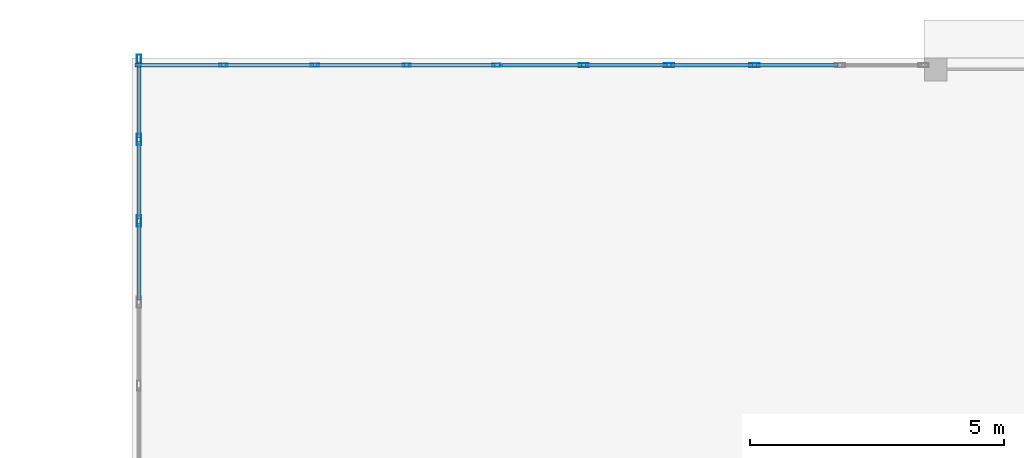
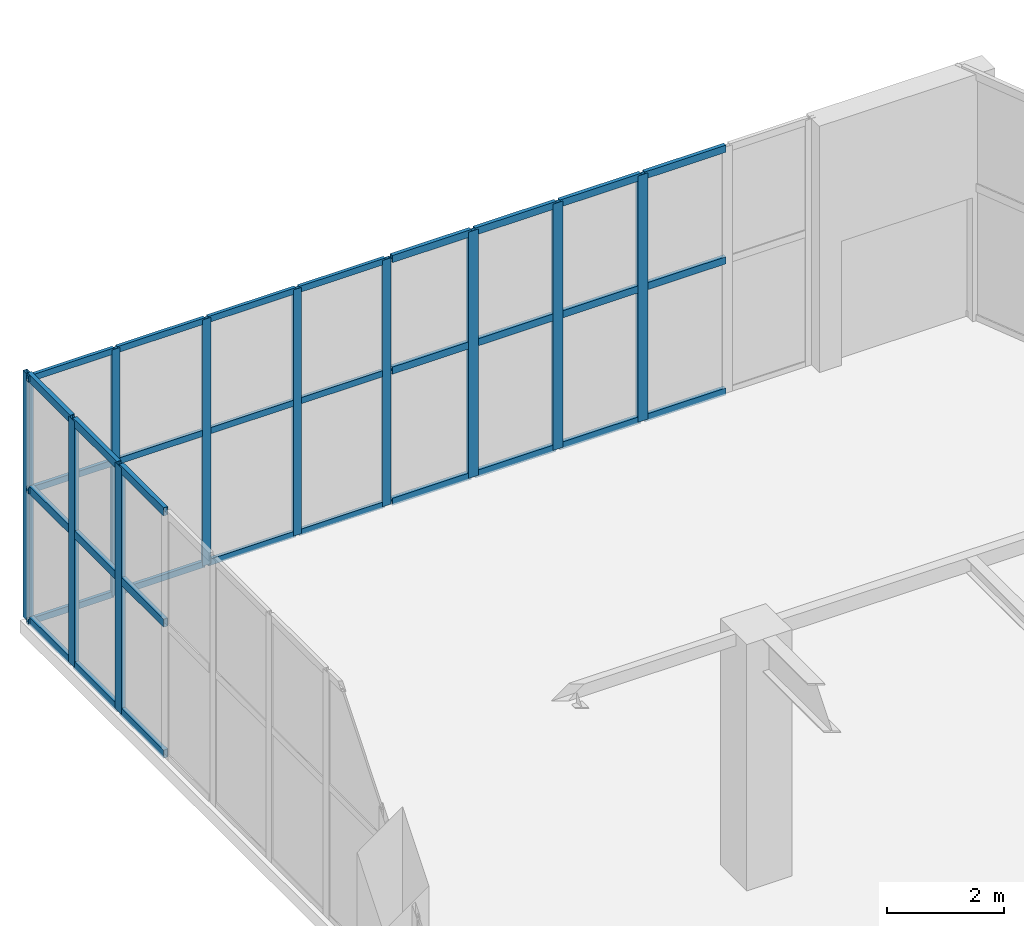
# One storey, part 62 of 139: 43 members, 3 elements without a shape of their own.
"""IFC4 building model written with IfcOpenShell, lengths in metres."""

from ifc_helpers import new_model, si_unit, direction, frame, origin, origin_2d, place, context, subcontext, project, spatial, hollow_rectangle, extrude, material, layer, layer_set, material_profile, profile_set, type_object, element, aggregate, save


model = new_model("IFC4")

# Units and contexts
model_context = context("Model", 3, precision=1e-05, world=origin(), true_north=direction((0.0, 1.0)))
body_context = subcontext(model_context, "Body", "Model", "MODEL_VIEW")
ifc_project = project(units=[si_unit("LENGTHUNIT", "METRE"), si_unit("AREAUNIT", "SQUARE_METRE"), si_unit("VOLUMEUNIT", "CUBIC_METRE"), si_unit("PLANEANGLEUNIT", "RADIAN"), si_unit("MASSUNIT", "GRAM", prefix="KILO")], contexts=[model_context])

# Site, building, storey
site_placement = place(None, origin())
site = spatial("IfcSite", under=ifc_project, at=site_placement, CompositionType="ELEMENT")
building_placement = place(site_placement, origin())
building = spatial("IfcBuilding", under=site, at=building_placement, Name="Xicomal Pleat Aquarium", CompositionType="ELEMENT")
storey_placement = place(building_placement, origin())
storey = spatial("IfcBuildingStorey", under=building, at=storey_placement, Name="L01", CompositionType="ELEMENT", Elevation=0.0)

# Curtain wall, members
ifc_material_1 = material(Name="Bronze anodized aluminium 6063-T6", Category="aluminium")
ifc_layer_1 = layer(ifc_material_1, 0.159912109375)
ifc_layer_set_1 = layer_set([ifc_layer_1], Name="Bronze anodized aluminium 6063-T6")
curtain_wall_type_1 = type_object("IfcCurtainWallType", Name="CW-SYS-01", PredefinedType="NOTDEFINED", material=ifc_layer_set_1)
curtain_wall_1_placement = place(storey_placement, origin())
curtain_wall_1 = element("IfcCurtainWall", 1, at=curtain_wall_1_placement, inside=storey, type_object=curtain_wall_type_1, Name="L01 unitised curtain wall CW-L01-015", PredefinedType="NOTDEFINED")
ifc_material_2 = material(Name="Bronze anodized aluminium 6063-T6", Category="aluminium")
ifc_material_profile_1 = material_profile(ifc_material_2, hollow_rectangle(XDim=0.06494140625, YDim=0.159912109375, WallThickness=0.00390625, at=origin_2d()), Name="ALU MULL 65x160")
ifc_profile_set_1 = profile_set([ifc_material_profile_1], Name="Bronze anodized aluminium 6063-T6")
member_type_1 = type_object("IfcMemberType", Name="CWM-65x160", PredefinedType="MULLION", material=ifc_profile_set_1)
member_1_placement = place(storey_placement, frame((4.800048828125, 111.06005859375, 0.0), z_axis=(0.0, 0.0, 1.0), x_axis=(0.0, 1.0, 0.0)))
member_1 = element("IfcMember", 2, at=member_1_placement, type_object=member_type_1, Name="CW-01 mullion 2", PredefinedType="MULLION", context=body_context, shape_type="SweptSolid", body=[
    extrude(hollow_rectangle(XDim=0.06494140625, YDim=0.159912109375, WallThickness=0.00390625, at=origin_2d()), origin(), (0.0, 0.0, 1.0), 5.159912109375),
])
member_2_placement = place(storey_placement, frame((6.60009765625, 111.06005859375, 0.0), z_axis=(0.0, 0.0, 1.0), x_axis=(0.0, 1.0, 0.0)))
member_2 = element("IfcMember", 3, at=member_2_placement, type_object=member_type_1, Name="CW-01 mullion 3", PredefinedType="MULLION", context=body_context, shape_type="SweptSolid", body=[
    extrude(hollow_rectangle(XDim=0.06494140625, YDim=0.159912109375, WallThickness=0.00390625, at=origin_2d()), origin(), (0.0, 0.0, 1.0), 5.159912109375),
])
member_3_placement = place(storey_placement, frame((8.39990234375, 111.06005859375, 0.0), z_axis=(0.0, 0.0, 1.0), x_axis=(0.0, 1.0, 0.0)))
member_3 = element("IfcMember", 4, at=member_3_placement, type_object=member_type_1, Name="CW-01 mullion 4", PredefinedType="MULLION", context=body_context, shape_type="SweptSolid", body=[
    extrude(hollow_rectangle(XDim=0.06494140625, YDim=0.159912109375, WallThickness=0.00390625, at=origin_2d()), origin(), (0.0, 0.0, 1.0), 5.159912109375),
])
member_4_placement = place(storey_placement, frame((10.16748046875, 111.06005859375, 0.0), z_axis=(0.0, 0.0, 1.0), x_axis=(0.0, 1.0, 0.0)))
member_4 = element("IfcMember", 5, at=member_4_placement, type_object=member_type_1, Name="CW-01 mullion 5", PredefinedType="MULLION", context=body_context, shape_type="SweptSolid", body=[
    extrude(hollow_rectangle(XDim=0.06494140625, YDim=0.159912109375, WallThickness=0.00390625, at=origin_2d()), origin(), (0.0, 0.0, 1.0), 5.159912109375),
])

ifc_material_3 = material(Name="Bronze anodized aluminium 6063-T6", Category="aluminium")
ifc_layer_2 = layer(ifc_material_3, 0.159912109375)
ifc_layer_set_2 = layer_set([ifc_layer_2], Name="Bronze anodized aluminium 6063-T6")
curtain_wall_type_2 = type_object("IfcCurtainWallType", Name="CW-SYS-06", PredefinedType="NOTDEFINED", material=ifc_layer_set_2)
curtain_wall_2_placement = place(storey_placement, origin())
curtain_wall_2 = element("IfcCurtainWall", 6, at=curtain_wall_2_placement, inside=storey, type_object=curtain_wall_type_2, Name="L01 unitised curtain wall CW-L01-016", PredefinedType="NOTDEFINED")
ifc_material_4 = material(Name="Bronze anodized aluminium 6063-T6", Category="aluminium")
ifc_material_profile_2 = material_profile(ifc_material_4, hollow_rectangle(XDim=0.074951171875, YDim=0.199951171875, WallThickness=0.00439453125, at=origin_2d()), Name="ALU MULL 75x200")
ifc_profile_set_2 = profile_set([ifc_material_profile_2], Name="Bronze anodized aluminium 6063-T6")
member_type_2 = type_object("IfcMemberType", Name="CWM-75x200", PredefinedType="MULLION", material=ifc_profile_set_2)
member_5_placement = place(storey_placement, frame((11.8798828125, 111.06005859375, 0.0), z_axis=(0.0, 0.0, 1.0), x_axis=(0.0, 1.0, 0.0)))
member_5 = element("IfcMember", 7, at=member_5_placement, type_object=member_type_2, Name="CW-06 mullion 2", PredefinedType="MULLION", context=body_context, shape_type="SweptSolid", body=[
    extrude(hollow_rectangle(XDim=0.074951171875, YDim=0.199951171875, WallThickness=0.00439453125, at=origin_2d()), origin(), (0.0, 0.0, 1.0), 5.159912109375),
])
member_6_placement = place(storey_placement, frame((13.56005859375, 111.06005859375, 0.0), z_axis=(0.0, 0.0, 1.0), x_axis=(0.0, 1.0, 0.0)))
member_6 = element("IfcMember", 8, at=member_6_placement, type_object=member_type_2, Name="CW-06 mullion 3", PredefinedType="MULLION", context=body_context, shape_type="SweptSolid", body=[
    extrude(hollow_rectangle(XDim=0.074951171875, YDim=0.199951171875, WallThickness=0.00439453125, at=origin_2d()), origin(), (0.0, 0.0, 1.0), 5.159912109375),
])
member_7_placement = place(storey_placement, frame((15.239990234375, 111.06005859375, 0.0), z_axis=(0.0, 0.0, 1.0), x_axis=(0.0, 1.0, 0.0)))
member_7 = element("IfcMember", 9, at=member_7_placement, type_object=member_type_2, Name="CW-06 mullion 4", PredefinedType="MULLION", context=body_context, shape_type="SweptSolid", body=[
    extrude(hollow_rectangle(XDim=0.074951171875, YDim=0.199951171875, WallThickness=0.00439453125, at=origin_2d()), origin(), (0.0, 0.0, 1.0), 5.159912109375),
])

ifc_material_5 = material(Name="Bronze anodized aluminium 6063-T6", Category="aluminium")
ifc_layer_3 = layer(ifc_material_5, 0.159912109375)
ifc_layer_set_3 = layer_set([ifc_layer_3], Name="Bronze anodized aluminium 6063-T6")
curtain_wall_type_3 = type_object("IfcCurtainWallType", Name="CW-SYS-11", PredefinedType="NOTDEFINED", material=ifc_layer_set_3)
curtain_wall_3_placement = place(storey_placement, origin())
curtain_wall_3 = element("IfcCurtainWall", 10, at=curtain_wall_3_placement, inside=storey, type_object=curtain_wall_type_3, Name="L01 unitised curtain wall CW-L01-014", PredefinedType="NOTDEFINED")
ifc_material_6 = material(Name="Bronze anodized aluminium 6063-T6", Category="aluminium")
ifc_material_profile_3 = material_profile(ifc_material_6, hollow_rectangle(XDim=0.0849609375, YDim=0.219970703125, WallThickness=0.0048828125, at=origin_2d()), Name="ALU MULL 85x220")
ifc_profile_set_3 = profile_set([ifc_material_profile_3], Name="Bronze anodized aluminium 6063-T6")
member_type_3 = type_object("IfcMemberType", Name="CWM-85x220", PredefinedType="MULLION", material=ifc_profile_set_3)
member_8_placement = place(storey_placement, frame((3.139892578125, 108.0, 0.0), z_axis=(0.0, 0.0, 1.0), x_axis=(-1.0, 0.0, 0.0)))
member_8 = element("IfcMember", 11, at=member_8_placement, type_object=member_type_3, Name="CW-11 mullion 3", PredefinedType="MULLION", context=body_context, shape_type="SweptSolid", body=[
    extrude(hollow_rectangle(XDim=0.0849609375, YDim=0.219970703125, WallThickness=0.0048828125, at=origin_2d()), origin(), (0.0, 0.0, 1.0), 5.159912109375),
])
member_9_placement = place(storey_placement, frame((3.139892578125, 109.60009765625, 0.0), z_axis=(0.0, 0.0, 1.0), x_axis=(-1.0, 0.0, 0.0)))
member_9 = element("IfcMember", 12, at=member_9_placement, type_object=member_type_3, Name="CW-11 mullion 4", PredefinedType="MULLION", context=body_context, shape_type="SweptSolid", body=[
    extrude(hollow_rectangle(XDim=0.0849609375, YDim=0.219970703125, WallThickness=0.0048828125, at=origin_2d()), origin(), (0.0, 0.0, 1.0), 5.159912109375),
])
member_10_placement = place(storey_placement, frame((3.139892578125, 111.157470703125, 0.0), z_axis=(0.0, 0.0, 1.0), x_axis=(-1.0, 0.0, 0.0)))
member_10 = element("IfcMember", 13, at=member_10_placement, type_object=member_type_3, Name="CW-11 mullion 5", PredefinedType="MULLION", context=body_context, shape_type="SweptSolid", body=[
    extrude(hollow_rectangle(XDim=0.0849609375, YDim=0.219970703125, WallThickness=0.0048828125, at=origin_2d()), origin(), (0.0, 0.0, 1.0), 5.159912109375),
])

# Member
ifc_material_7 = material(Name="Bronze anodized aluminium 6063-T6", Category="aluminium")
ifc_material_profile_4 = material_profile(ifc_material_7, hollow_rectangle(XDim=0.06494140625, YDim=0.1298828125, WallThickness=0.00390625, at=origin_2d()), Name="ALU TRAN 65x130")
ifc_profile_set_4 = profile_set([ifc_material_profile_4], Name="Bronze anodized aluminium 6063-T6")
member_type_4 = type_object("IfcMemberType", Name="CWT-65x130", PredefinedType="USERDEFINED", material=ifc_profile_set_4)
member_11_placement = place(storey_placement, frame((3.06494140625, 111.06005859375, 0.032470703125), z_axis=(1.0, 0.0, 0.0), x_axis=(0.0, 1.0, 0.0)))
member_11 = element("IfcMember", 14, at=member_11_placement, type_object=member_type_4, Name="CW-01 transom 1.1", ObjectType="TRANSOM", PredefinedType="USERDEFINED", context=body_context, shape_type="SweptSolid", body=[
    extrude(hollow_rectangle(XDim=0.06494140625, YDim=0.1298828125, WallThickness=0.00390625, at=origin_2d()), origin(), (0.0, 0.0, 1.0), 1.70263671875),
])

member_12_placement = place(storey_placement, frame((3.06494140625, 111.06005859375, 2.785888671875), z_axis=(1.0, 0.0, 0.0), x_axis=(0.0, 1.0, 0.0)))
member_12 = element("IfcMember", 15, at=member_12_placement, type_object=member_type_4, Name="CW-01 transom 1.2", ObjectType="TRANSOM", PredefinedType="USERDEFINED", context=body_context, shape_type="SweptSolid", body=[
    extrude(hollow_rectangle(XDim=0.06494140625, YDim=0.1298828125, WallThickness=0.00390625, at=origin_2d()), origin(), (0.0, 0.0, 1.0), 1.70263671875),
])

member_13_placement = place(storey_placement, frame((3.06494140625, 111.06005859375, 5.12744140625), z_axis=(1.0, 0.0, 0.0), x_axis=(0.0, 1.0, 0.0)))
member_13 = element("IfcMember", 16, at=member_13_placement, type_object=member_type_4, Name="CW-01 transom 1.3", ObjectType="TRANSOM", PredefinedType="USERDEFINED", context=body_context, shape_type="SweptSolid", body=[
    extrude(hollow_rectangle(XDim=0.06494140625, YDim=0.1298828125, WallThickness=0.00390625, at=origin_2d()), origin(), (0.0, 0.0, 1.0), 1.70263671875),
])

member_14_placement = place(storey_placement, frame((4.83251953125, 111.06005859375, 0.032470703125), z_axis=(1.0, 0.0, 0.0), x_axis=(0.0, 1.0, 0.0)))
member_14 = element("IfcMember", 17, at=member_14_placement, type_object=member_type_4, Name="CW-01 transom 2.1", ObjectType="TRANSOM", PredefinedType="USERDEFINED", context=body_context, shape_type="SweptSolid", body=[
    extrude(hollow_rectangle(XDim=0.06494140625, YDim=0.1298828125, WallThickness=0.00390625, at=origin_2d()), origin(), (0.0, 0.0, 1.0), 1.73486328125),
])

member_15_placement = place(storey_placement, frame((4.83251953125, 111.06005859375, 2.785888671875), z_axis=(1.0, 0.0, 0.0), x_axis=(0.0, 1.0, 0.0)))
member_15 = element("IfcMember", 18, at=member_15_placement, type_object=member_type_4, Name="CW-01 transom 2.2", ObjectType="TRANSOM", PredefinedType="USERDEFINED", context=body_context, shape_type="SweptSolid", body=[
    extrude(hollow_rectangle(XDim=0.06494140625, YDim=0.1298828125, WallThickness=0.00390625, at=origin_2d()), origin(), (0.0, 0.0, 1.0), 1.73486328125),
])

member_16_placement = place(storey_placement, frame((4.83251953125, 111.06005859375, 5.12744140625), z_axis=(1.0, 0.0, 0.0), x_axis=(0.0, 1.0, 0.0)))
member_16 = element("IfcMember", 19, at=member_16_placement, type_object=member_type_4, Name="CW-01 transom 2.3", ObjectType="TRANSOM", PredefinedType="USERDEFINED", context=body_context, shape_type="SweptSolid", body=[
    extrude(hollow_rectangle(XDim=0.06494140625, YDim=0.1298828125, WallThickness=0.00390625, at=origin_2d()), origin(), (0.0, 0.0, 1.0), 1.73486328125),
])

member_17_placement = place(storey_placement, frame((6.632568359375, 111.06005859375, 0.032470703125), z_axis=(1.0, 0.0, 0.0), x_axis=(0.0, 1.0, 0.0)))
member_17 = element("IfcMember", 20, at=member_17_placement, type_object=member_type_4, Name="CW-01 transom 3.1", ObjectType="TRANSOM", PredefinedType="USERDEFINED", context=body_context, shape_type="SweptSolid", body=[
    extrude(hollow_rectangle(XDim=0.06494140625, YDim=0.1298828125, WallThickness=0.00390625, at=origin_2d()), origin(), (0.0, 0.0, 1.0), 1.73486328125),
])

member_18_placement = place(storey_placement, frame((6.632568359375, 111.06005859375, 2.785888671875), z_axis=(1.0, 0.0, 0.0), x_axis=(0.0, 1.0, 0.0)))
member_18 = element("IfcMember", 21, at=member_18_placement, type_object=member_type_4, Name="CW-01 transom 3.2", ObjectType="TRANSOM", PredefinedType="USERDEFINED", context=body_context, shape_type="SweptSolid", body=[
    extrude(hollow_rectangle(XDim=0.06494140625, YDim=0.1298828125, WallThickness=0.00390625, at=origin_2d()), origin(), (0.0, 0.0, 1.0), 1.73486328125),
])

member_19_placement = place(storey_placement, frame((6.632568359375, 111.06005859375, 5.12744140625), z_axis=(1.0, 0.0, 0.0), x_axis=(0.0, 1.0, 0.0)))
member_19 = element("IfcMember", 22, at=member_19_placement, type_object=member_type_4, Name="CW-01 transom 3.3", ObjectType="TRANSOM", PredefinedType="USERDEFINED", context=body_context, shape_type="SweptSolid", body=[
    extrude(hollow_rectangle(XDim=0.06494140625, YDim=0.1298828125, WallThickness=0.00390625, at=origin_2d()), origin(), (0.0, 0.0, 1.0), 1.73486328125),
])

member_20_placement = place(storey_placement, frame((8.4326171875, 111.06005859375, 0.032470703125), z_axis=(1.0, 0.0, 0.0), x_axis=(0.0, 1.0, 0.0)))
member_20 = element("IfcMember", 23, at=member_20_placement, type_object=member_type_4, Name="CW-01 transom 4.1", ObjectType="TRANSOM", PredefinedType="USERDEFINED", context=body_context, shape_type="SweptSolid", body=[
    extrude(hollow_rectangle(XDim=0.06494140625, YDim=0.1298828125, WallThickness=0.00390625, at=origin_2d()), origin(), (0.0, 0.0, 1.0), 1.702392578125),
])

member_21_placement = place(storey_placement, frame((8.4326171875, 111.06005859375, 2.785888671875), z_axis=(1.0, 0.0, 0.0), x_axis=(0.0, 1.0, 0.0)))
member_21 = element("IfcMember", 24, at=member_21_placement, type_object=member_type_4, Name="CW-01 transom 4.2", ObjectType="TRANSOM", PredefinedType="USERDEFINED", context=body_context, shape_type="SweptSolid", body=[
    extrude(hollow_rectangle(XDim=0.06494140625, YDim=0.1298828125, WallThickness=0.00390625, at=origin_2d()), origin(), (0.0, 0.0, 1.0), 1.702392578125),
])

member_22_placement = place(storey_placement, frame((8.4326171875, 111.06005859375, 5.12744140625), z_axis=(1.0, 0.0, 0.0), x_axis=(0.0, 1.0, 0.0)))
member_22 = element("IfcMember", 25, at=member_22_placement, type_object=member_type_4, Name="CW-01 transom 4.3", ObjectType="TRANSOM", PredefinedType="USERDEFINED", context=body_context, shape_type="SweptSolid", body=[
    extrude(hollow_rectangle(XDim=0.06494140625, YDim=0.1298828125, WallThickness=0.00390625, at=origin_2d()), origin(), (0.0, 0.0, 1.0), 1.702392578125),
])

aggregate(curtain_wall_1, [member_1, member_2, member_3, member_4, member_11, member_12, member_13, member_14, member_15, member_16, member_17, member_18, member_19, member_20, member_21, member_22])

ifc_material_8 = material(Name="Bronze anodized aluminium 6063-T6", Category="aluminium")
ifc_material_profile_5 = material_profile(ifc_material_8, hollow_rectangle(XDim=0.074951171875, YDim=0.14990234375, WallThickness=0.00439453125, at=origin_2d()), Name="ALU TRAN 75x150")
ifc_profile_set_5 = profile_set([ifc_material_profile_5], Name="Bronze anodized aluminium 6063-T6")
member_type_5 = type_object("IfcMemberType", Name="CWT-75x150", PredefinedType="USERDEFINED", material=ifc_profile_set_5)
member_23_placement = place(storey_placement, frame((10.27490234375, 111.06005859375, 0.03759765625), z_axis=(1.0, 0.0, 0.0), x_axis=(0.0, 1.0, 0.0)))
member_23 = element("IfcMember", 26, at=member_23_placement, type_object=member_type_5, Name="CW-06 transom 1.1", ObjectType="TRANSOM", PredefinedType="USERDEFINED", context=body_context, shape_type="SweptSolid", body=[
    extrude(hollow_rectangle(XDim=0.074951171875, YDim=0.14990234375, WallThickness=0.00439453125, at=origin_2d()), origin(), (0.0, 0.0, 1.0), 1.567626953125),
])

member_24_placement = place(storey_placement, frame((10.27490234375, 111.06005859375, 2.785888671875), z_axis=(1.0, 0.0, 0.0), x_axis=(0.0, 1.0, 0.0)))
member_24 = element("IfcMember", 27, at=member_24_placement, type_object=member_type_5, Name="CW-06 transom 1.2", ObjectType="TRANSOM", PredefinedType="USERDEFINED", context=body_context, shape_type="SweptSolid", body=[
    extrude(hollow_rectangle(XDim=0.074951171875, YDim=0.14990234375, WallThickness=0.00439453125, at=origin_2d()), origin(), (0.0, 0.0, 1.0), 1.567626953125),
])

member_25_placement = place(storey_placement, frame((10.27490234375, 111.06005859375, 5.12255859375), z_axis=(1.0, 0.0, 0.0), x_axis=(0.0, 1.0, 0.0)))
member_25 = element("IfcMember", 28, at=member_25_placement, type_object=member_type_5, Name="CW-06 transom 1.3", ObjectType="TRANSOM", PredefinedType="USERDEFINED", context=body_context, shape_type="SweptSolid", body=[
    extrude(hollow_rectangle(XDim=0.074951171875, YDim=0.14990234375, WallThickness=0.00439453125, at=origin_2d()), origin(), (0.0, 0.0, 1.0), 1.567626953125),
])

member_26_placement = place(storey_placement, frame((11.91748046875, 111.06005859375, 0.03759765625), z_axis=(1.0, 0.0, 0.0), x_axis=(0.0, 1.0, 0.0)))
member_26 = element("IfcMember", 29, at=member_26_placement, type_object=member_type_5, Name="CW-06 transom 2.1", ObjectType="TRANSOM", PredefinedType="USERDEFINED", context=body_context, shape_type="SweptSolid", body=[
    extrude(hollow_rectangle(XDim=0.074951171875, YDim=0.14990234375, WallThickness=0.00439453125, at=origin_2d()), origin(), (0.0, 0.0, 1.0), 1.60498046875),
])

member_27_placement = place(storey_placement, frame((11.91748046875, 111.06005859375, 2.785888671875), z_axis=(1.0, 0.0, 0.0), x_axis=(0.0, 1.0, 0.0)))
member_27 = element("IfcMember", 30, at=member_27_placement, type_object=member_type_5, Name="CW-06 transom 2.2", ObjectType="TRANSOM", PredefinedType="USERDEFINED", context=body_context, shape_type="SweptSolid", body=[
    extrude(hollow_rectangle(XDim=0.074951171875, YDim=0.14990234375, WallThickness=0.00439453125, at=origin_2d()), origin(), (0.0, 0.0, 1.0), 1.60498046875),
])

member_28_placement = place(storey_placement, frame((11.91748046875, 111.06005859375, 5.12255859375), z_axis=(1.0, 0.0, 0.0), x_axis=(0.0, 1.0, 0.0)))
member_28 = element("IfcMember", 31, at=member_28_placement, type_object=member_type_5, Name="CW-06 transom 2.3", ObjectType="TRANSOM", PredefinedType="USERDEFINED", context=body_context, shape_type="SweptSolid", body=[
    extrude(hollow_rectangle(XDim=0.074951171875, YDim=0.14990234375, WallThickness=0.00439453125, at=origin_2d()), origin(), (0.0, 0.0, 1.0), 1.60498046875),
])

member_29_placement = place(storey_placement, frame((13.597412109375, 111.06005859375, 0.03759765625), z_axis=(1.0, 0.0, 0.0), x_axis=(0.0, 1.0, 0.0)))
member_29 = element("IfcMember", 32, at=member_29_placement, type_object=member_type_5, Name="CW-06 transom 3.1", ObjectType="TRANSOM", PredefinedType="USERDEFINED", context=body_context, shape_type="SweptSolid", body=[
    extrude(hollow_rectangle(XDim=0.074951171875, YDim=0.14990234375, WallThickness=0.00439453125, at=origin_2d()), origin(), (0.0, 0.0, 1.0), 1.60498046875),
])

member_30_placement = place(storey_placement, frame((13.597412109375, 111.06005859375, 2.785888671875), z_axis=(1.0, 0.0, 0.0), x_axis=(0.0, 1.0, 0.0)))
member_30 = element("IfcMember", 33, at=member_30_placement, type_object=member_type_5, Name="CW-06 transom 3.2", ObjectType="TRANSOM", PredefinedType="USERDEFINED", context=body_context, shape_type="SweptSolid", body=[
    extrude(hollow_rectangle(XDim=0.074951171875, YDim=0.14990234375, WallThickness=0.00439453125, at=origin_2d()), origin(), (0.0, 0.0, 1.0), 1.60498046875),
])

member_31_placement = place(storey_placement, frame((13.597412109375, 111.06005859375, 5.12255859375), z_axis=(1.0, 0.0, 0.0), x_axis=(0.0, 1.0, 0.0)))
member_31 = element("IfcMember", 34, at=member_31_placement, type_object=member_type_5, Name="CW-06 transom 3.3", ObjectType="TRANSOM", PredefinedType="USERDEFINED", context=body_context, shape_type="SweptSolid", body=[
    extrude(hollow_rectangle(XDim=0.074951171875, YDim=0.14990234375, WallThickness=0.00439453125, at=origin_2d()), origin(), (0.0, 0.0, 1.0), 1.60498046875),
])

member_32_placement = place(storey_placement, frame((15.277587890625, 111.06005859375, 0.03759765625), z_axis=(1.0, 0.0, 0.0), x_axis=(0.0, 1.0, 0.0)))
member_32 = element("IfcMember", 35, at=member_32_placement, type_object=member_type_5, Name="CW-06 transom 4.1", ObjectType="TRANSOM", PredefinedType="USERDEFINED", context=body_context, shape_type="SweptSolid", body=[
    extrude(hollow_rectangle(XDim=0.074951171875, YDim=0.14990234375, WallThickness=0.00439453125, at=origin_2d()), origin(), (0.0, 0.0, 1.0), 1.60498046875),
])

member_33_placement = place(storey_placement, frame((15.277587890625, 111.06005859375, 2.785888671875), z_axis=(1.0, 0.0, 0.0), x_axis=(0.0, 1.0, 0.0)))
member_33 = element("IfcMember", 36, at=member_33_placement, type_object=member_type_5, Name="CW-06 transom 4.2", ObjectType="TRANSOM", PredefinedType="USERDEFINED", context=body_context, shape_type="SweptSolid", body=[
    extrude(hollow_rectangle(XDim=0.074951171875, YDim=0.14990234375, WallThickness=0.00439453125, at=origin_2d()), origin(), (0.0, 0.0, 1.0), 1.60498046875),
])

member_34_placement = place(storey_placement, frame((15.277587890625, 111.06005859375, 5.12255859375), z_axis=(1.0, 0.0, 0.0), x_axis=(0.0, 1.0, 0.0)))
member_34 = element("IfcMember", 37, at=member_34_placement, type_object=member_type_5, Name="CW-06 transom 4.3", ObjectType="TRANSOM", PredefinedType="USERDEFINED", context=body_context, shape_type="SweptSolid", body=[
    extrude(hollow_rectangle(XDim=0.074951171875, YDim=0.14990234375, WallThickness=0.00439453125, at=origin_2d()), origin(), (0.0, 0.0, 1.0), 1.60498046875),
])

aggregate(curtain_wall_2, [member_5, member_6, member_7, member_23, member_24, member_25, member_26, member_27, member_28, member_29, member_30, member_31, member_32, member_33, member_34])

ifc_material_9 = material(Name="Bronze anodized aluminium 6063-T6", Category="aluminium")
ifc_material_profile_6 = material_profile(ifc_material_9, hollow_rectangle(XDim=0.0849609375, YDim=0.169921875, WallThickness=0.0048828125, at=origin_2d()), Name="ALU TRAN 85x170")
ifc_profile_set_6 = profile_set([ifc_material_profile_6], Name="Bronze anodized aluminium 6063-T6")
member_type_6 = type_object("IfcMemberType", Name="CWT-85x170", PredefinedType="USERDEFINED", material=ifc_profile_set_6)
member_35_placement = place(storey_placement, frame((3.139892578125, 106.4423828125, 0.04248046875), z_axis=(0.0, 1.0, 0.0), x_axis=(-1.0, 0.0, 0.0)))
member_35 = element("IfcMember", 38, at=member_35_placement, type_object=member_type_6, Name="CW-11 transom 2.1", ObjectType="TRANSOM", PredefinedType="USERDEFINED", context=body_context, shape_type="SweptSolid", body=[
    extrude(hollow_rectangle(XDim=0.0849609375, YDim=0.169921875, WallThickness=0.0048828125, at=origin_2d()), origin(), (0.0, 0.0, 1.0), 1.51513671875),
])

member_36_placement = place(storey_placement, frame((3.139892578125, 106.4423828125, 2.785888671875), z_axis=(0.0, 1.0, 0.0), x_axis=(-1.0, 0.0, 0.0)))
member_36 = element("IfcMember", 39, at=member_36_placement, type_object=member_type_6, Name="CW-11 transom 2.2", ObjectType="TRANSOM", PredefinedType="USERDEFINED", context=body_context, shape_type="SweptSolid", body=[
    extrude(hollow_rectangle(XDim=0.0849609375, YDim=0.169921875, WallThickness=0.0048828125, at=origin_2d()), origin(), (0.0, 0.0, 1.0), 1.51513671875),
])

member_37_placement = place(storey_placement, frame((3.139892578125, 106.4423828125, 5.117431640625), z_axis=(0.0, 1.0, 0.0), x_axis=(-1.0, 0.0, 0.0)))
member_37 = element("IfcMember", 40, at=member_37_placement, type_object=member_type_6, Name="CW-11 transom 2.3", ObjectType="TRANSOM", PredefinedType="USERDEFINED", context=body_context, shape_type="SweptSolid", body=[
    extrude(hollow_rectangle(XDim=0.0849609375, YDim=0.169921875, WallThickness=0.0048828125, at=origin_2d()), origin(), (0.0, 0.0, 1.0), 1.51513671875),
])

member_38_placement = place(storey_placement, frame((3.139892578125, 108.04248046875, 0.04248046875), z_axis=(0.0, 1.0, 0.0), x_axis=(-1.0, 0.0, 0.0)))
member_38 = element("IfcMember", 41, at=member_38_placement, type_object=member_type_6, Name="CW-11 transom 3.1", ObjectType="TRANSOM", PredefinedType="USERDEFINED", context=body_context, shape_type="SweptSolid", body=[
    extrude(hollow_rectangle(XDim=0.0849609375, YDim=0.169921875, WallThickness=0.0048828125, at=origin_2d()), origin(), (0.0, 0.0, 1.0), 1.51513671875),
])

member_39_placement = place(storey_placement, frame((3.139892578125, 108.04248046875, 2.785888671875), z_axis=(0.0, 1.0, 0.0), x_axis=(-1.0, 0.0, 0.0)))
member_39 = element("IfcMember", 42, at=member_39_placement, type_object=member_type_6, Name="CW-11 transom 3.2", ObjectType="TRANSOM", PredefinedType="USERDEFINED", context=body_context, shape_type="SweptSolid", body=[
    extrude(hollow_rectangle(XDim=0.0849609375, YDim=0.169921875, WallThickness=0.0048828125, at=origin_2d()), origin(), (0.0, 0.0, 1.0), 1.51513671875),
])

member_40_placement = place(storey_placement, frame((3.139892578125, 108.04248046875, 5.117431640625), z_axis=(0.0, 1.0, 0.0), x_axis=(-1.0, 0.0, 0.0)))
member_40 = element("IfcMember", 43, at=member_40_placement, type_object=member_type_6, Name="CW-11 transom 3.3", ObjectType="TRANSOM", PredefinedType="USERDEFINED", context=body_context, shape_type="SweptSolid", body=[
    extrude(hollow_rectangle(XDim=0.0849609375, YDim=0.169921875, WallThickness=0.0048828125, at=origin_2d()), origin(), (0.0, 0.0, 1.0), 1.51513671875),
])

member_41_placement = place(storey_placement, frame((3.139892578125, 109.642578125, 0.04248046875), z_axis=(0.0, 1.0, 0.0), x_axis=(-1.0, 0.0, 0.0)))
member_41 = element("IfcMember", 44, at=member_41_placement, type_object=member_type_6, Name="CW-11 transom 4.1", ObjectType="TRANSOM", PredefinedType="USERDEFINED", context=body_context, shape_type="SweptSolid", body=[
    extrude(hollow_rectangle(XDim=0.0849609375, YDim=0.169921875, WallThickness=0.0048828125, at=origin_2d()), origin(), (0.0, 0.0, 1.0), 1.472412109375),
])

member_42_placement = place(storey_placement, frame((3.139892578125, 109.642578125, 2.785888671875), z_axis=(0.0, 1.0, 0.0), x_axis=(-1.0, 0.0, 0.0)))
member_42 = element("IfcMember", 45, at=member_42_placement, type_object=member_type_6, Name="CW-11 transom 4.2", ObjectType="TRANSOM", PredefinedType="USERDEFINED", context=body_context, shape_type="SweptSolid", body=[
    extrude(hollow_rectangle(XDim=0.0849609375, YDim=0.169921875, WallThickness=0.0048828125, at=origin_2d()), origin(), (0.0, 0.0, 1.0), 1.472412109375),
])

member_43_placement = place(storey_placement, frame((3.139892578125, 109.642578125, 5.117431640625), z_axis=(0.0, 1.0, 0.0), x_axis=(-1.0, 0.0, 0.0)))
member_43 = element("IfcMember", 46, at=member_43_placement, type_object=member_type_6, Name="CW-11 transom 4.3", ObjectType="TRANSOM", PredefinedType="USERDEFINED", context=body_context, shape_type="SweptSolid", body=[
    extrude(hollow_rectangle(XDim=0.0849609375, YDim=0.169921875, WallThickness=0.0048828125, at=origin_2d()), origin(), (0.0, 0.0, 1.0), 1.472412109375),
])

aggregate(curtain_wall_3, [member_8, member_9, member_10, member_35, member_36, member_37, member_38, member_39, member_40, member_41, member_42, member_43])

save(model, "model.ifc")
